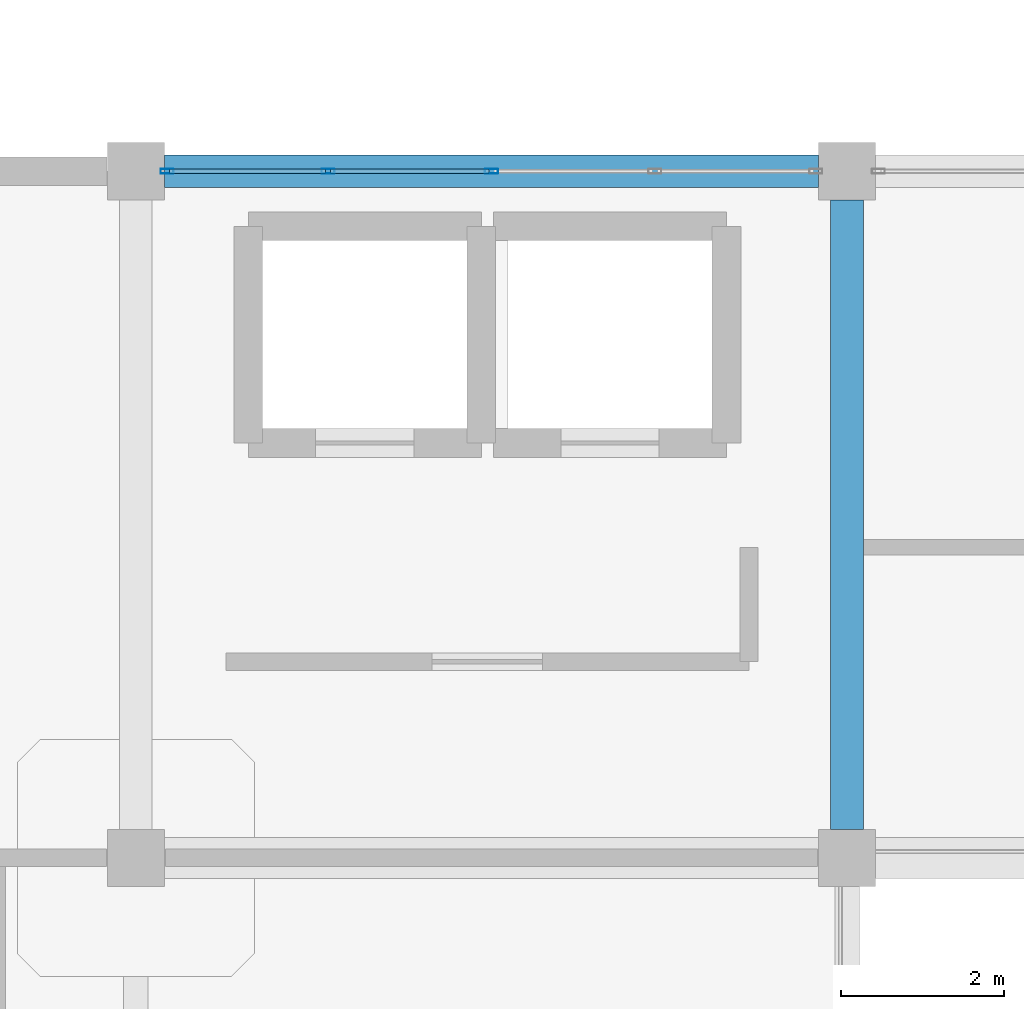
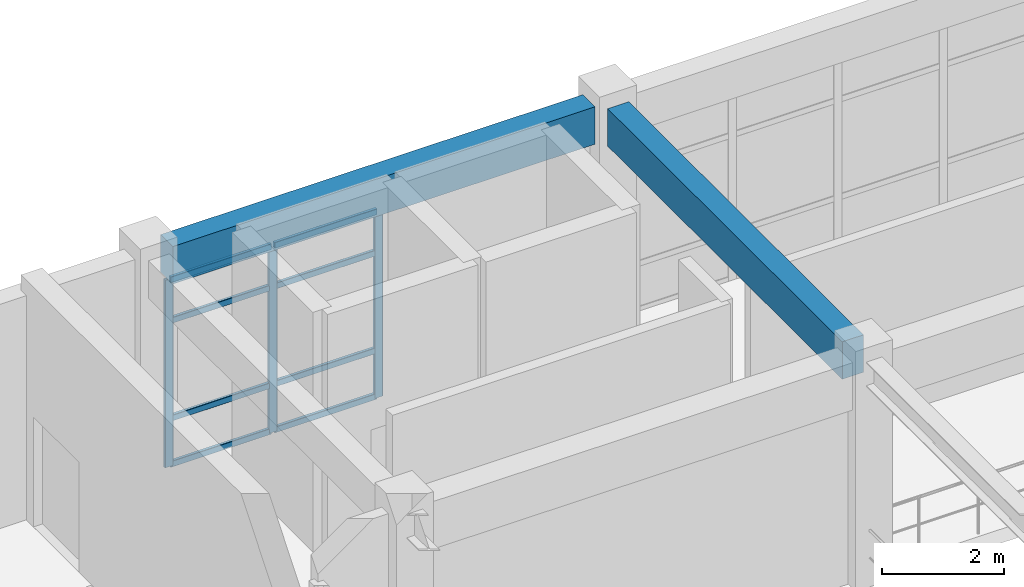
# One storey, part 22 of 64: 11 members, 2 beams, 1 element without a shape of its own.
"""IFC4 building model written with IfcOpenShell, lengths in metres."""

from ifc_helpers import new_model, si_unit, derived_unit, direction, frame, origin, origin_2d, place, context, subcontext, project, spatial, rectangle, hollow_rectangle, extrude, material, layer, layer_set, material_profile, profile_set, type_object, element, aggregate, save


model = new_model("IFC4")

# Units and contexts
model_context = context("Model", 3, precision=1e-05, world=origin(), true_north=direction((0.0, 1.0)))
body_context = subcontext(model_context, "Body", "Model", "MODEL_VIEW")
ifc_project = project(units=[si_unit("LENGTHUNIT", "METRE"), si_unit("AREAUNIT", "SQUARE_METRE"), si_unit("VOLUMEUNIT", "CUBIC_METRE"), si_unit("PLANEANGLEUNIT", "RADIAN"), si_unit("MASSUNIT", "GRAM", prefix="KILO"), derived_unit("THERMALTRANSMITTANCEUNIT", [(si_unit("MASSUNIT", "GRAM", prefix="KILO"), 1), (si_unit("TIMEUNIT", "SECOND"), -3), (si_unit("THERMODYNAMICTEMPERATUREUNIT", "KELVIN"), -1)])], contexts=[model_context])

# Site, building, storey
site_placement = place(None, origin())
site = spatial("IfcSite", under=ifc_project, at=site_placement, CompositionType="ELEMENT")
building_placement = place(site_placement, origin())
building = spatial("IfcBuilding", under=site, at=building_placement, Name="Qinzheling Arcade Emporium", CompositionType="ELEMENT")
storey_placement = place(building_placement, frame((0.0, 0.0, 31.5)))
storey = spatial("IfcBuildingStorey", under=building, at=storey_placement, Name="L07", CompositionType="ELEMENT", Elevation=31.5)

# Curtain wall, members
ifc_material_1 = material(Name="Anodised aluminium and solar-control double glazing", Category="aluminium")
ifc_layer = layer(ifc_material_1, 0.159912109375, Name="Anodised aluminium and solar-control double glazing", Category="aluminium")
ifc_layer_set = layer_set([ifc_layer], Name="Anodised aluminium and solar-control double glazing")
curtain_wall_type = type_object("IfcCurtainWallType", Name="Atrium Clerestory Curtain Wall", PredefinedType="NOTDEFINED", material=ifc_layer_set)
curtain_wall_placement = place(storey_placement, origin())
curtain_wall = element("IfcCurtainWall", 1, at=curtain_wall_placement, inside=storey, type_object=curtain_wall_type, Name="Curtain Wall CW-L07-417", PredefinedType="NOTDEFINED")
ifc_material_2 = material(Name="Anodised aluminium 6063-T6", Category="aluminium")
ifc_material_profile_1 = material_profile(ifc_material_2, hollow_rectangle(XDim=0.06005859375, YDim=0.159912109375, WallThickness=0.00390625, InnerFilletRadius=0.00390625, OuterFilletRadius=0.008056640625, at=origin_2d()), Name="RHS 160x60x4", Category="aluminium")
ifc_profile_set_1 = profile_set([ifc_material_profile_1], Name="Anodised aluminium 6063-T6")
member_type_1 = type_object("IfcMemberType", Name="Curtain Wall Mullion RHS160x60", PredefinedType="MULLION", material=ifc_profile_set_1)
member_1_placement = place(storey_placement, frame((43.882080078125, 73.800048828125, 0.0), z_axis=(0.0, 0.0, 1.0), x_axis=(0.0, 1.0, 0.0)))
member_1 = element("IfcMember", 2, at=member_1_placement, type_object=member_type_1, Name="CW03 mullion 1", PredefinedType="MULLION", context=body_context, shape_type="SweptSolid", body=[
    extrude(hollow_rectangle(XDim=0.06005859375, YDim=0.159912109375, WallThickness=0.00390625, InnerFilletRadius=0.00390625, OuterFilletRadius=0.008056640625, at=origin_2d()), origin(), (0.0, 0.0, 1.0), 3.7548828125),
])
member_2_placement = place(storey_placement, frame((45.85107421875, 73.800048828125, 0.0), z_axis=(0.0, 0.0, 1.0), x_axis=(0.0, 1.0, 0.0)))
member_2 = element("IfcMember", 3, at=member_2_placement, type_object=member_type_1, Name="CW03 mullion 2", PredefinedType="MULLION", context=body_context, shape_type="SweptSolid", body=[
    extrude(hollow_rectangle(XDim=0.06005859375, YDim=0.159912109375, WallThickness=0.00390625, InnerFilletRadius=0.00390625, OuterFilletRadius=0.008056640625, at=origin_2d()), origin(), (0.0, 0.0, 1.0), 3.7548828125),
])
member_3_placement = place(storey_placement, frame((47.85009765625, 73.800048828125, 0.0), z_axis=(0.0, 0.0, 1.0), x_axis=(0.0, 1.0, 0.0)))
member_3 = element("IfcMember", 4, at=member_3_placement, type_object=member_type_1, Name="CW03 mullion 3", PredefinedType="MULLION", context=body_context, shape_type="SweptSolid", body=[
    extrude(hollow_rectangle(XDim=0.06005859375, YDim=0.159912109375, WallThickness=0.00390625, InnerFilletRadius=0.00390625, OuterFilletRadius=0.008056640625, at=origin_2d()), origin(), (0.0, 0.0, 1.0), 3.7548828125),
])
ifc_material_profile_2 = material_profile(ifc_material_2, hollow_rectangle(XDim=0.06005859375, YDim=0.1201171875, WallThickness=0.00390625, InnerFilletRadius=0.00390625, OuterFilletRadius=0.008056640625, at=origin_2d()), Name="RHS 120x60x4", Category="aluminium")
ifc_profile_set_2 = profile_set([ifc_material_profile_2], Name="Anodised aluminium 6063-T6")
member_type_2 = type_object("IfcMemberType", Name="Curtain Wall Transom RHS120x60", PredefinedType="USERDEFINED", material=ifc_profile_set_2)
member_4_placement = place(storey_placement, frame((43.912109375, 73.800048828125, 0.030029296875), z_axis=(1.0, 0.0, 0.0), x_axis=(0.0, 1.0, 0.0)))
member_4 = element("IfcMember", 5, at=member_4_placement, type_object=member_type_2, Name="CW03 transom 1.1", ObjectType="TRANSOM", PredefinedType="USERDEFINED", context=body_context, shape_type="SweptSolid", body=[
    extrude(hollow_rectangle(XDim=0.06005859375, YDim=0.1201171875, WallThickness=0.00390625, InnerFilletRadius=0.00390625, OuterFilletRadius=0.008056640625, at=origin_2d()), origin(), (0.0, 0.0, 1.0), 1.908935546875),
])
member_5_placement = place(storey_placement, frame((43.912109375, 73.800048828125, 0.949951171875), z_axis=(1.0, 0.0, 0.0), x_axis=(0.0, 1.0, 0.0)))
member_5 = element("IfcMember", 6, at=member_5_placement, type_object=member_type_2, Name="CW03 transom 1.2", ObjectType="TRANSOM", PredefinedType="USERDEFINED", context=body_context, shape_type="SweptSolid", body=[
    extrude(hollow_rectangle(XDim=0.06005859375, YDim=0.1201171875, WallThickness=0.00390625, InnerFilletRadius=0.00390625, OuterFilletRadius=0.008056640625, at=origin_2d()), origin(), (0.0, 0.0, 1.0), 1.908935546875),
])
member_6_placement = place(storey_placement, frame((43.912109375, 73.800048828125, 2.905029296875), z_axis=(1.0, 0.0, 0.0), x_axis=(0.0, 1.0, 0.0)))
member_6 = element("IfcMember", 7, at=member_6_placement, type_object=member_type_2, Name="CW03 transom 1.3", ObjectType="TRANSOM", PredefinedType="USERDEFINED", context=body_context, shape_type="SweptSolid", body=[
    extrude(hollow_rectangle(XDim=0.06005859375, YDim=0.1201171875, WallThickness=0.00390625, InnerFilletRadius=0.00390625, OuterFilletRadius=0.008056640625, at=origin_2d()), origin(), (0.0, 0.0, 1.0), 1.908935546875),
])
member_7_placement = place(storey_placement, frame((43.912109375, 73.800048828125, 3.72509765625), z_axis=(1.0, 0.0, 0.0), x_axis=(0.0, 1.0, 0.0)))
member_7 = element("IfcMember", 8, at=member_7_placement, type_object=member_type_2, Name="CW03 transom 1.4", ObjectType="TRANSOM", PredefinedType="USERDEFINED", context=body_context, shape_type="SweptSolid", body=[
    extrude(hollow_rectangle(XDim=0.06005859375, YDim=0.1201171875, WallThickness=0.00390625, InnerFilletRadius=0.00390625, OuterFilletRadius=0.008056640625, at=origin_2d()), origin(), (0.0, 0.0, 1.0), 1.908935546875),
])
member_8_placement = place(storey_placement, frame((45.881103515625, 73.800048828125, 0.030029296875), z_axis=(1.0, 0.0, 0.0), x_axis=(0.0, 1.0, 0.0)))
member_8 = element("IfcMember", 9, at=member_8_placement, type_object=member_type_2, Name="CW03 transom 2.1", ObjectType="TRANSOM", PredefinedType="USERDEFINED", context=body_context, shape_type="SweptSolid", body=[
    extrude(hollow_rectangle(XDim=0.06005859375, YDim=0.1201171875, WallThickness=0.00390625, InnerFilletRadius=0.00390625, OuterFilletRadius=0.008056640625, at=origin_2d()), origin(), (0.0, 0.0, 1.0), 1.93896484375),
])
member_9_placement = place(storey_placement, frame((45.881103515625, 73.800048828125, 0.949951171875), z_axis=(1.0, 0.0, 0.0), x_axis=(0.0, 1.0, 0.0)))
member_9 = element("IfcMember", 10, at=member_9_placement, type_object=member_type_2, Name="CW03 transom 2.2", ObjectType="TRANSOM", PredefinedType="USERDEFINED", context=body_context, shape_type="SweptSolid", body=[
    extrude(hollow_rectangle(XDim=0.06005859375, YDim=0.1201171875, WallThickness=0.00390625, InnerFilletRadius=0.00390625, OuterFilletRadius=0.008056640625, at=origin_2d()), origin(), (0.0, 0.0, 1.0), 1.93896484375),
])
member_10_placement = place(storey_placement, frame((45.881103515625, 73.800048828125, 2.905029296875), z_axis=(1.0, 0.0, 0.0), x_axis=(0.0, 1.0, 0.0)))
member_10 = element("IfcMember", 11, at=member_10_placement, type_object=member_type_2, Name="CW03 transom 2.3", ObjectType="TRANSOM", PredefinedType="USERDEFINED", context=body_context, shape_type="SweptSolid", body=[
    extrude(hollow_rectangle(XDim=0.06005859375, YDim=0.1201171875, WallThickness=0.00390625, InnerFilletRadius=0.00390625, OuterFilletRadius=0.008056640625, at=origin_2d()), origin(), (0.0, 0.0, 1.0), 1.93896484375),
])
member_11_placement = place(storey_placement, frame((45.881103515625, 73.800048828125, 3.72509765625), z_axis=(1.0, 0.0, 0.0), x_axis=(0.0, 1.0, 0.0)))
member_11 = element("IfcMember", 12, at=member_11_placement, type_object=member_type_2, Name="CW03 transom 2.4", ObjectType="TRANSOM", PredefinedType="USERDEFINED", context=body_context, shape_type="SweptSolid", body=[
    extrude(hollow_rectangle(XDim=0.06005859375, YDim=0.1201171875, WallThickness=0.00390625, InnerFilletRadius=0.00390625, OuterFilletRadius=0.008056640625, at=origin_2d()), origin(), (0.0, 0.0, 1.0), 1.93896484375),
])
aggregate(curtain_wall, [member_1, member_2, member_3, member_4, member_5, member_6, member_7, member_8, member_9, member_10, member_11])

# Beams
ifc_material_3 = material(Name="Concrete C40", Category="concrete")
ifc_material_profile_3 = material_profile(ifc_material_3, rectangle(XDim=0.39990234375, YDim=0.75, at=origin_2d()), Name="RC 400x750", Category="concrete")
ifc_profile_set_3 = profile_set([ifc_material_profile_3], Name="Concrete C40")
beam_type = type_object("IfcBeamType", Name="RC Interior Tie Beam 400x750 C40", PredefinedType="BEAM", material=ifc_profile_set_3)
beam_1_placement = place(storey_placement, frame((43.85009765625, 73.800048828125, 4.14501953125), z_axis=(1.0, 0.0, 0.0), x_axis=(0.0, 1.0, 0.0)))
element("IfcBeam", 13, at=beam_1_placement, inside=storey, type_object=beam_type, Name="Beam BM-L07-X-J-6", PredefinedType="BEAM", context=body_context, shape_type="SweptSolid", body=[
    extrude(rectangle(XDim=0.39990234375, YDim=0.75, at=origin_2d()), origin(), (0.0, 0.0, 1.0), 8.0),
])
beam_2_placement = place(storey_placement, frame((52.199951171875, 65.75, 4.14501953125), z_axis=(0.0, 1.0, 0.0), x_axis=(-1.0, 0.0, 0.0)))
element("IfcBeam", 14, at=beam_2_placement, inside=storey, type_object=beam_type, Name="Beam BM-L07-Y-7-H", PredefinedType="BEAM", context=body_context, shape_type="SweptSolid", body=[
    extrude(rectangle(XDim=0.39990234375, YDim=0.75, at=origin_2d()), origin(), (0.0, 0.0, 1.0), 7.699951171875),
])

save(model, "model.ifc")
